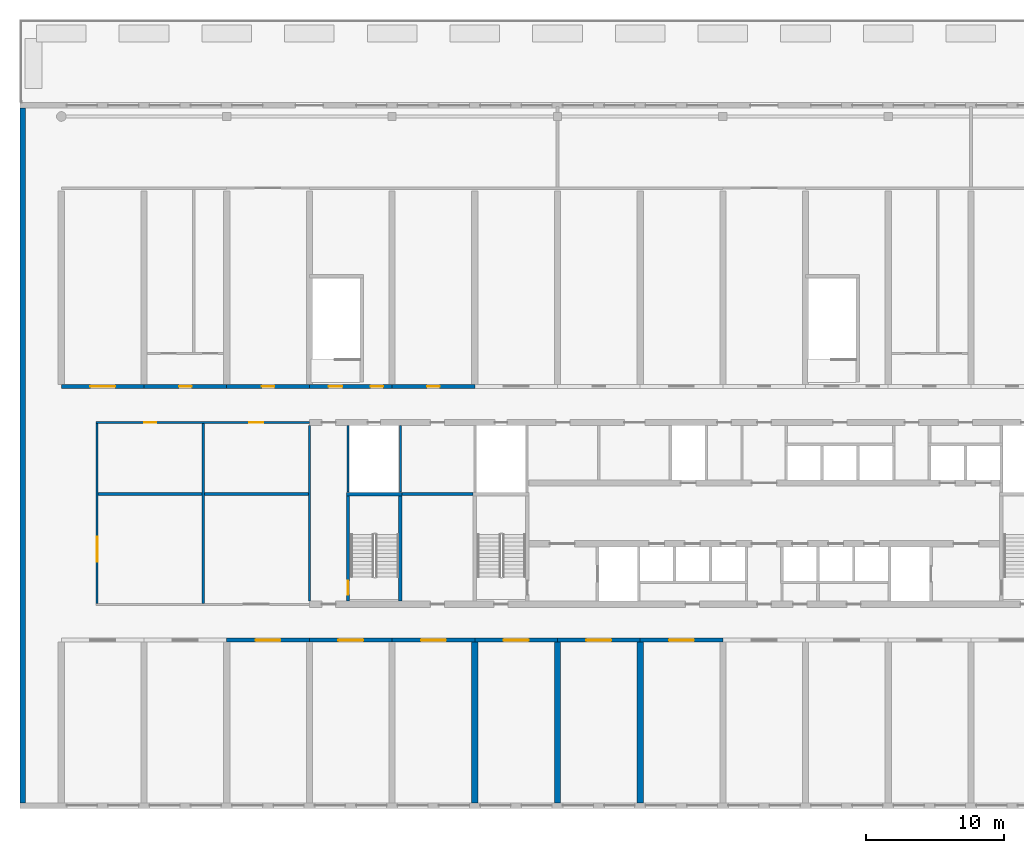
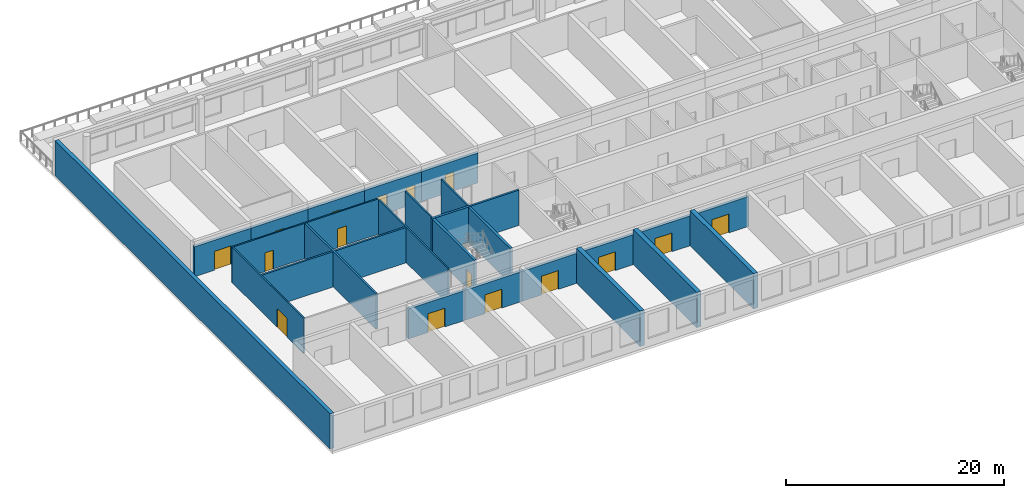
# One storey, part 2 of 15: 26 walls, 16 doors, 16 openings.
"""IFC4 building model written with IfcOpenShell, lengths in metres."""

from ifc_helpers import new_model, si_unit, direction, frame, frame_2d, origin, place, context, subcontext, project, spatial, rectangle, extrude, material, layer, layer_set, type_object, element, fill, save


model = new_model("IFC4")

# Units and contexts
model_context = context("Model", 3, precision=1e-05, world=origin(), true_north=direction((0.0, 1.0)))
body_context = subcontext(model_context, "Body", "Model", "MODEL_VIEW")
ifc_project = project(units=[si_unit("LENGTHUNIT", "METRE"), si_unit("AREAUNIT", "SQUARE_METRE"), si_unit("VOLUMEUNIT", "CUBIC_METRE"), si_unit("PLANEANGLEUNIT", "RADIAN"), si_unit("MASSUNIT", "GRAM", prefix="KILO")], contexts=[model_context])

# Site, building, storey
site_placement = place(None, origin())
site = spatial("IfcSite", under=ifc_project, at=site_placement, CompositionType="ELEMENT")
building_placement = place(site_placement, origin())
building = spatial("IfcBuilding", under=site, at=building_placement, Name="Poui Terraces", CompositionType="ELEMENT")
storey_placement = place(building_placement, frame((0.0, 0.0, 19.199951171875)))
storey = spatial("IfcBuildingStorey", under=building, at=storey_placement, Name="L04", CompositionType="ELEMENT", Elevation=19.199951171875)

# Walls
ifc_material_1 = material(Name="Fire-rated masonry wall", Category="masonry")
ifc_layer_1 = layer(ifc_material_1, 0.199951171875)
ifc_layer_set_1 = layer_set([ifc_layer_1], Name="Fire-rated masonry wall")
wall_type_1 = type_object("IfcWallType", Name="COMPARTMENT WALL 200", PredefinedType="PARTITIONING", material=ifc_layer_set_1)
wall_1_placement = place(storey_placement, frame((2.675048828125, 22.60009765625, 0.0), z_axis=(0.0, 0.0, 1.0), x_axis=(1.0, 0.0, 0.0)))
element("IfcWall", 1, at=wall_1_placement, inside=storey, type_object=wall_type_1, Name="COMPARTMENT WALL 200", PredefinedType="PARTITIONING", context=body_context, shape_type="SweptSolid", body=[
    extrude(rectangle(XDim=15.25, YDim=0.199951171875, at=frame_2d((7.625, 0.0))), origin(), (0.0, 0.0, 1.0), 3.949951171875),
])
wall_2_placement = place(storey_placement, frame((24.735107421875, 22.60009765625, 0.0), z_axis=(0.0, 0.0, 1.0), x_axis=(1.0, 0.0, 0.0)))
element("IfcWall", 2, at=wall_2_placement, inside=storey, type_object=wall_type_1, Name="COMPARTMENT WALL 200", PredefinedType="PARTITIONING", context=body_context, shape_type="SweptSolid", body=[
    extrude(rectangle(XDim=5.1298828125, YDim=0.199951171875, at=frame_2d((2.56494140625, 0.0))), origin(), (0.0, 0.0, 1.0), 3.949951171875),
])
wall_3_placement = place(storey_placement, frame((10.300048828125, 14.675048828125, 0.0), z_axis=(0.0, 0.0, 1.0), x_axis=(0.0, 1.0, 0.0)))
element("IfcWall", 3, at=wall_3_placement, inside=storey, type_object=wall_type_1, Name="COMPARTMENT WALL 200", PredefinedType="PARTITIONING", context=body_context, shape_type="SweptSolid", body=[
    extrude(rectangle(XDim=13.050048828125, YDim=0.199951171875, at=frame_2d((6.52490234375, 0.0))), origin(), (0.0, 0.0, 1.0), 3.949951171875),
])

# Wall, openings, doors
ifc_material_2 = material(Name="Fire-rated plasterboard wall")
ifc_layer_2 = layer(ifc_material_2, 0.14990234375)
ifc_layer_set_2 = layer_set([ifc_layer_2], Name="Fire-rated plasterboard wall")
wall_type_2 = type_object("IfcWallType", Name="CORRIDOR WALL 150", PredefinedType="PARTITIONING", material=ifc_layer_set_2)
wall_4_placement = place(storey_placement, frame((2.52490234375, 27.800048828125, 0.0), z_axis=(0.0, 0.0, 1.0), x_axis=(1.0, 0.0, 0.0)))
wall_4 = element("IfcWall", 4, at=wall_4_placement, inside=storey, type_object=wall_type_2, Name="CORRIDOR WALL 150", PredefinedType="PARTITIONING", context=body_context, shape_type="SweptSolid", body=[
    extrude(rectangle(XDim=15.465087890625, YDim=0.14990234375, at=frame_2d((7.732421875, 0.0))), origin(), (0.0, 0.0, 1.0), 3.949951171875),
])
opening_1_placement = place(wall_4_placement, frame((3.47509765625, 0.0, 0.0)))
opening_1 = element("IfcOpeningElement", 5, at=opening_1_placement, cuts=wall_4, Name="Opening D90", PredefinedType="OPENING", context=body_context, shape_type="SweptSolid", body=[
    extrude(rectangle(XDim=0.89990234375, YDim=2.10009765625, at=frame_2d((0.449951171875, 1.050048828125))), frame((0.0, 0.0849609375, 0.0), z_axis=(0.0, -1.0, 0.0), x_axis=(1.0, 0.0, 0.0)), (0.0, 0.0, 1.0), 0.169921875),
])
opening_2_placement = place(wall_4_placement, frame((11.125, 0.0, 0.0)))
opening_2 = element("IfcOpeningElement", 6, at=opening_2_placement, cuts=wall_4, Name="Opening D100", PredefinedType="OPENING", context=body_context, shape_type="SweptSolid", body=[
    extrude(rectangle(XDim=1.0, YDim=2.10009765625, at=frame_2d((0.5, 1.050048828125))), frame((0.0, 0.0849609375, 0.0), z_axis=(0.0, -1.0, 0.0), x_axis=(1.0, 0.0, 0.0)), (0.0, 0.0, 1.0), 0.169921875),
])
ifc_material_3 = material(Name="Solid core timber door", Category="wood")
door_type_1 = type_object("IfcDoorType", Name="ACCESSIBLE INTERNAL DOOR 1000 X 2100", OperationType="NOTDEFINED", PredefinedType="DOOR", material=ifc_material_3)
door_1_placement = place(opening_2_placement, origin())
door_1 = element("IfcDoor", 7, at=door_1_placement, inside=storey, type_object=door_type_1, Name="ACCESSIBLE INTERNAL DOOR 005", OperationType="SINGLE_SWING_RIGHT", OverallHeight=2.10009765625, OverallWidth=1.0, PredefinedType="DOOR", context=body_context, shape_type="SweptSolid", body=[
    extrude(rectangle(XDim=1.0, YDim=2.10009765625, at=frame_2d((0.5, 1.050048828125))), frame((0.0, 0.02490234375, 0.0), z_axis=(0.0, -1.0, 0.0), x_axis=(1.0, 0.0, 0.0)), (0.0, 0.0, 1.0), 0.050048828125),
])
fill(opening_2, door_1)
door_type_2 = type_object("IfcDoorType", Name="INTERNAL DOOR 900 X 2100", OperationType="NOTDEFINED", PredefinedType="DOOR", material=ifc_material_3)
door_2_placement = place(opening_1_placement, origin())
door_2 = element("IfcDoor", 8, at=door_2_placement, inside=storey, type_object=door_type_2, Name="INTERNAL DOOR 003", OperationType="SINGLE_SWING_LEFT", OverallHeight=2.10009765625, OverallWidth=0.89990234375, PredefinedType="DOOR", context=body_context, shape_type="SweptSolid", body=[
    extrude(rectangle(XDim=0.89990234375, YDim=2.10009765625, at=frame_2d((0.449951171875, 1.050048828125))), frame((0.0, 0.02490234375, 0.0), z_axis=(0.0, -1.0, 0.0), x_axis=(1.0, 0.0, 0.0)), (0.0, 0.0, 1.0), 0.050048828125),
])
fill(opening_1, door_2)

# Wall, opening, door
wall_5_placement = place(storey_placement, frame((2.60009765625, 14.675048828125, 0.0), z_axis=(0.0, 0.0, 1.0), x_axis=(0.0, 1.0, 0.0)))
wall_5 = element("IfcWall", 9, at=wall_5_placement, inside=storey, type_object=wall_type_2, Name="CORRIDOR WALL 150", PredefinedType="PARTITIONING", context=body_context, shape_type="SweptSolid", body=[
    extrude(rectangle(XDim=13.050048828125, YDim=0.14990234375, at=frame_2d((6.52490234375, 0.0))), origin(), (0.0, 0.0, 1.0), 3.949951171875),
])
opening_3_placement = place(wall_5_placement, frame((3.02490234375, 0.0, 0.0)))
opening_3 = element("IfcOpeningElement", 10, at=opening_3_placement, cuts=wall_5, Name="Opening DD180", PredefinedType="OPENING", context=body_context, shape_type="SweptSolid", body=[
    extrude(rectangle(XDim=1.800048828125, YDim=2.10009765625, at=frame_2d((0.89990234375, 1.050048828125))), frame((0.0, 0.0849609375, 0.0), z_axis=(0.0, -1.0, 0.0), x_axis=(1.0, 0.0, 0.0)), (0.0, 0.0, 1.0), 0.169921875),
])
ifc_material_4 = material(Name="Steel fire door", Category="steel")
door_type_3 = type_object("IfcDoorType", Name="DOUBLE INTERNAL DOOR 1800 X 2100", OperationType="DOUBLE_DOOR_SINGLE_SWING", PredefinedType="DOOR", material=ifc_material_4)
door_3_placement = place(opening_3_placement, origin())
door_3 = element("IfcDoor", 11, at=door_3_placement, inside=storey, type_object=door_type_3, Name="DOUBLE INTERNAL DOOR 070", OperationType="DOUBLE_DOOR_SINGLE_SWING", OverallHeight=2.10009765625, OverallWidth=1.800048828125, PredefinedType="DOOR", context=body_context, shape_type="SweptSolid", body=[
    extrude(rectangle(XDim=1.800048828125, YDim=2.10009765625, at=frame_2d((0.89990234375, 1.050048828125))), frame((0.0, 0.02490234375, 0.0), z_axis=(0.0, -1.0, 0.0), x_axis=(1.0, 0.0, 0.0)), (0.0, 0.0, 1.0), 0.050048828125),
])
fill(opening_3, door_3)

# Wall
wall_6_placement = place(storey_placement, frame((18.0, 14.8349609375, 0.0), z_axis=(0.0, 0.0, 1.0), x_axis=(0.0, 1.0, 0.0)))
element("IfcWall", 12, at=wall_6_placement, inside=storey, type_object=wall_type_2, Name="CORRIDOR WALL 150", PredefinedType="PARTITIONING", context=body_context, shape_type="SweptSolid", body=[
    extrude(rectangle(XDim=12.72998046875, YDim=0.14990234375, at=frame_2d((6.364990234375, 0.0))), origin(), (0.0, 0.0, 1.0), 3.949951171875),
])

# Wall, opening, door
ifc_material_5 = material(Name="Concrete 80 MPa", Category="concrete")
ifc_layer_3 = layer(ifc_material_5, 0.300048828125)
ifc_layer_set_3 = layer_set([ifc_layer_3], Name="Concrete 80 MPa")
wall_type_3 = type_object("IfcWallType", Name="CORRIDOR WALL 300 80MPa", PredefinedType="SHEAR", material=ifc_layer_set_3)
wall_7_placement = place(storey_placement, frame((12.0, 12.0, 0.0), z_axis=(0.0, 0.0, 1.0), x_axis=(1.0, 0.0, 0.0)))
wall_7 = element("IfcWall", 13, at=wall_7_placement, inside=storey, type_object=wall_type_3, Name="CORRIDOR WALL LINE B BAY 3", PredefinedType="SHEAR", context=body_context, shape_type="SweptSolid", body=[
    extrude(rectangle(XDim=6.0, YDim=0.300048828125, at=frame_2d((3.0, 0.0))), origin(), (0.0, 0.0, 1.0), 3.35009765625),
])
opening_4_placement = place(wall_7_placement, frame((2.10009765625, 0.0, 0.0)))
opening_4 = element("IfcOpeningElement", 14, at=opening_4_placement, cuts=wall_7, Name="Opening DD180", PredefinedType="OPENING", context=body_context, shape_type="SweptSolid", body=[
    extrude(rectangle(XDim=1.800048828125, YDim=2.10009765625, at=frame_2d((0.89990234375, 1.050048828125))), frame((0.0, 0.16015625, 0.0), z_axis=(0.0, -1.0, 0.0), x_axis=(1.0, 0.0, 0.0)), (0.0, 0.0, 1.0), 0.320068359375),
])
door_4_placement = place(opening_4_placement, origin())
door_4 = element("IfcDoor", 15, at=door_4_placement, inside=storey, type_object=door_type_3, Name="DOUBLE INTERNAL DOOR 044", OperationType="DOUBLE_DOOR_SINGLE_SWING", OverallHeight=2.10009765625, OverallWidth=1.800048828125, PredefinedType="DOOR", context=body_context, shape_type="SweptSolid", body=[
    extrude(rectangle(XDim=1.800048828125, YDim=2.10009765625, at=frame_2d((0.89990234375, 1.050048828125))), frame((0.0, 0.02490234375, 0.0), z_axis=(0.0, -1.0, 0.0), x_axis=(1.0, 0.0, 0.0)), (0.0, 0.0, 1.0), 0.050048828125),
])
fill(opening_4, door_4)

wall_8_placement = place(storey_placement, frame((18.0, 12.0, 0.0), z_axis=(0.0, 0.0, 1.0), x_axis=(1.0, 0.0, 0.0)))
wall_8 = element("IfcWall", 16, at=wall_8_placement, inside=storey, type_object=wall_type_3, Name="CORRIDOR WALL LINE B BAY 4", PredefinedType="SHEAR", context=body_context, shape_type="SweptSolid", body=[
    extrude(rectangle(XDim=6.0, YDim=0.300048828125, at=frame_2d((3.0, 0.0))), origin(), (0.0, 0.0, 1.0), 3.35009765625),
])
opening_5_placement = place(wall_8_placement, frame((2.10009765625, 0.0, 0.0)))
opening_5 = element("IfcOpeningElement", 17, at=opening_5_placement, cuts=wall_8, Name="Opening DD180", PredefinedType="OPENING", context=body_context, shape_type="SweptSolid", body=[
    extrude(rectangle(XDim=1.800048828125, YDim=2.10009765625, at=frame_2d((0.89990234375, 1.050048828125))), frame((0.0, 0.16015625, 0.0), z_axis=(0.0, -1.0, 0.0), x_axis=(1.0, 0.0, 0.0)), (0.0, 0.0, 1.0), 0.320068359375),
])
door_5_placement = place(opening_5_placement, origin())
door_5 = element("IfcDoor", 18, at=door_5_placement, inside=storey, type_object=door_type_3, Name="DOUBLE INTERNAL DOOR 046", OperationType="DOUBLE_DOOR_SINGLE_SWING", OverallHeight=2.10009765625, OverallWidth=1.800048828125, PredefinedType="DOOR", context=body_context, shape_type="SweptSolid", body=[
    extrude(rectangle(XDim=1.800048828125, YDim=2.10009765625, at=frame_2d((0.89990234375, 1.050048828125))), frame((0.0, 0.02490234375, 0.0), z_axis=(0.0, -1.0, 0.0), x_axis=(1.0, 0.0, 0.0)), (0.0, 0.0, 1.0), 0.050048828125),
])
fill(opening_5, door_5)

wall_9_placement = place(storey_placement, frame((24.0, 12.0, 0.0), z_axis=(0.0, 0.0, 1.0), x_axis=(1.0, 0.0, 0.0)))
wall_9 = element("IfcWall", 19, at=wall_9_placement, inside=storey, type_object=wall_type_3, Name="CORRIDOR WALL LINE B BAY 5", PredefinedType="SHEAR", context=body_context, shape_type="SweptSolid", body=[
    extrude(rectangle(XDim=6.0, YDim=0.300048828125, at=frame_2d((3.0, 0.0))), origin(), (0.0, 0.0, 1.0), 3.35009765625),
])
opening_6_placement = place(wall_9_placement, frame((2.10009765625, 0.0, 0.0)))
opening_6 = element("IfcOpeningElement", 20, at=opening_6_placement, cuts=wall_9, Name="Opening DD180", PredefinedType="OPENING", context=body_context, shape_type="SweptSolid", body=[
    extrude(rectangle(XDim=1.800048828125, YDim=2.10009765625, at=frame_2d((0.89990234375, 1.050048828125))), frame((0.0, 0.16015625, 0.0), z_axis=(0.0, -1.0, 0.0), x_axis=(1.0, 0.0, 0.0)), (0.0, 0.0, 1.0), 0.320068359375),
])
door_6_placement = place(opening_6_placement, origin())
door_6 = element("IfcDoor", 21, at=door_6_placement, inside=storey, type_object=door_type_3, Name="DOUBLE INTERNAL DOOR 047", OperationType="DOUBLE_DOOR_SINGLE_SWING", OverallHeight=2.10009765625, OverallWidth=1.800048828125, PredefinedType="DOOR", context=body_context, shape_type="SweptSolid", body=[
    extrude(rectangle(XDim=1.800048828125, YDim=2.10009765625, at=frame_2d((0.89990234375, 1.050048828125))), frame((0.0, 0.02490234375, 0.0), z_axis=(0.0, -1.0, 0.0), x_axis=(1.0, 0.0, 0.0)), (0.0, 0.0, 1.0), 0.050048828125),
])
fill(opening_6, door_6)

wall_10_placement = place(storey_placement, frame((30.0, 12.0, 0.0), z_axis=(0.0, 0.0, 1.0), x_axis=(1.0, 0.0, 0.0)))
wall_10 = element("IfcWall", 22, at=wall_10_placement, inside=storey, type_object=wall_type_3, Name="CORRIDOR WALL LINE B BAY 6", PredefinedType="SHEAR", context=body_context, shape_type="SweptSolid", body=[
    extrude(rectangle(XDim=6.0, YDim=0.300048828125, at=frame_2d((3.0, 0.0))), origin(), (0.0, 0.0, 1.0), 3.35009765625),
])
opening_7_placement = place(wall_10_placement, frame((2.10009765625, 0.0, 0.0)))
opening_7 = element("IfcOpeningElement", 23, at=opening_7_placement, cuts=wall_10, Name="Opening DD180", PredefinedType="OPENING", context=body_context, shape_type="SweptSolid", body=[
    extrude(rectangle(XDim=1.800048828125, YDim=2.10009765625, at=frame_2d((0.89990234375, 1.050048828125))), frame((0.0, 0.16015625, 0.0), z_axis=(0.0, -1.0, 0.0), x_axis=(1.0, 0.0, 0.0)), (0.0, 0.0, 1.0), 0.320068359375),
])
door_7_placement = place(opening_7_placement, origin())
door_7 = element("IfcDoor", 24, at=door_7_placement, inside=storey, type_object=door_type_3, Name="DOUBLE INTERNAL DOOR 050", OperationType="DOUBLE_DOOR_SINGLE_SWING", OverallHeight=2.10009765625, OverallWidth=1.800048828125, PredefinedType="DOOR", context=body_context, shape_type="SweptSolid", body=[
    extrude(rectangle(XDim=1.800048828125, YDim=2.10009765625, at=frame_2d((0.89990234375, 1.050048828125))), frame((0.0, 0.02490234375, 0.0), z_axis=(0.0, -1.0, 0.0), x_axis=(1.0, 0.0, 0.0)), (0.0, 0.0, 1.0), 0.050048828125),
])
fill(opening_7, door_7)

wall_11_placement = place(storey_placement, frame((36.0, 12.0, 0.0), z_axis=(0.0, 0.0, 1.0), x_axis=(1.0, 0.0, 0.0)))
wall_11 = element("IfcWall", 25, at=wall_11_placement, inside=storey, type_object=wall_type_3, Name="CORRIDOR WALL LINE B BAY 7", PredefinedType="SHEAR", context=body_context, shape_type="SweptSolid", body=[
    extrude(rectangle(XDim=6.0, YDim=0.300048828125, at=frame_2d((3.0, 0.0))), origin(), (0.0, 0.0, 1.0), 3.35009765625),
])
opening_8_placement = place(wall_11_placement, frame((2.10009765625, 0.0, 0.0)))
opening_8 = element("IfcOpeningElement", 26, at=opening_8_placement, cuts=wall_11, Name="Opening DD180", PredefinedType="OPENING", context=body_context, shape_type="SweptSolid", body=[
    extrude(rectangle(XDim=1.800048828125, YDim=2.10009765625, at=frame_2d((0.89990234375, 1.050048828125))), frame((0.0, 0.16015625, 0.0), z_axis=(0.0, -1.0, 0.0), x_axis=(1.0, 0.0, 0.0)), (0.0, 0.0, 1.0), 0.320068359375),
])
door_8_placement = place(opening_8_placement, origin())
door_8 = element("IfcDoor", 27, at=door_8_placement, inside=storey, type_object=door_type_3, Name="DOUBLE INTERNAL DOOR 051", OperationType="DOUBLE_DOOR_SINGLE_SWING", OverallHeight=2.10009765625, OverallWidth=1.800048828125, PredefinedType="DOOR", context=body_context, shape_type="SweptSolid", body=[
    extrude(rectangle(XDim=1.800048828125, YDim=2.10009765625, at=frame_2d((0.89990234375, 1.050048828125))), frame((0.0, 0.02490234375, 0.0), z_axis=(0.0, -1.0, 0.0), x_axis=(1.0, 0.0, 0.0)), (0.0, 0.0, 1.0), 0.050048828125),
])
fill(opening_8, door_8)

wall_12_placement = place(storey_placement, frame((42.0, 12.0, 0.0), z_axis=(0.0, 0.0, 1.0), x_axis=(1.0, 0.0, 0.0)))
wall_12 = element("IfcWall", 28, at=wall_12_placement, inside=storey, type_object=wall_type_3, Name="CORRIDOR WALL LINE B BAY 8", PredefinedType="SHEAR", context=body_context, shape_type="SweptSolid", body=[
    extrude(rectangle(XDim=6.0, YDim=0.300048828125, at=frame_2d((3.0, 0.0))), origin(), (0.0, 0.0, 1.0), 3.35009765625),
])
opening_9_placement = place(wall_12_placement, frame((2.10009765625, 0.0, 0.0)))
opening_9 = element("IfcOpeningElement", 29, at=opening_9_placement, cuts=wall_12, Name="Opening DD180", PredefinedType="OPENING", context=body_context, shape_type="SweptSolid", body=[
    extrude(rectangle(XDim=1.800048828125, YDim=2.10009765625, at=frame_2d((0.89990234375, 1.050048828125))), frame((0.0, 0.16015625, 0.0), z_axis=(0.0, -1.0, 0.0), x_axis=(1.0, 0.0, 0.0)), (0.0, 0.0, 1.0), 0.320068359375),
])
door_9_placement = place(opening_9_placement, origin())
door_9 = element("IfcDoor", 30, at=door_9_placement, inside=storey, type_object=door_type_3, Name="DOUBLE INTERNAL DOOR 052", OperationType="DOUBLE_DOOR_SINGLE_SWING", OverallHeight=2.10009765625, OverallWidth=1.800048828125, PredefinedType="DOOR", context=body_context, shape_type="SweptSolid", body=[
    extrude(rectangle(XDim=1.800048828125, YDim=2.10009765625, at=frame_2d((0.89990234375, 1.050048828125))), frame((0.0, 0.02490234375, 0.0), z_axis=(0.0, -1.0, 0.0), x_axis=(1.0, 0.0, 0.0)), (0.0, 0.0, 1.0), 0.050048828125),
])
fill(opening_9, door_9)

wall_13_placement = place(storey_placement, frame((0.0, 30.39990234375, 0.0), z_axis=(0.0, 0.0, 1.0), x_axis=(1.0, 0.0, 0.0)))
wall_13 = element("IfcWall", 31, at=wall_13_placement, inside=storey, type_object=wall_type_3, Name="CORRIDOR WALL LINE E BAY 1", PredefinedType="SHEAR", context=body_context, shape_type="SweptSolid", body=[
    extrude(rectangle(XDim=6.0, YDim=0.300048828125, at=frame_2d((3.0, 0.0))), origin(), (0.0, 0.0, 1.0), 3.35009765625),
])
opening_10_placement = place(wall_13_placement, frame((2.10009765625, 0.0, 0.0)))
opening_10 = element("IfcOpeningElement", 32, at=opening_10_placement, cuts=wall_13, Name="Opening DD180", PredefinedType="OPENING", context=body_context, shape_type="SweptSolid", body=[
    extrude(rectangle(XDim=1.800048828125, YDim=2.10009765625, at=frame_2d((0.89990234375, 1.050048828125))), frame((0.0, 0.16015625, 0.0), z_axis=(0.0, -1.0, 0.0), x_axis=(1.0, 0.0, 0.0)), (0.0, 0.0, 1.0), 0.320068359375),
])
door_10_placement = place(opening_10_placement, frame((1.800048828125, 0.0, 0.0), z_axis=(0.0, 0.0, 1.0), x_axis=(-1.0, 0.0, 0.0)))
door_10 = element("IfcDoor", 33, at=door_10_placement, inside=storey, type_object=door_type_3, Name="DOUBLE INTERNAL DOOR 002", OperationType="DOUBLE_DOOR_SINGLE_SWING", OverallHeight=2.10009765625, OverallWidth=1.800048828125, PredefinedType="DOOR", context=body_context, shape_type="SweptSolid", body=[
    extrude(rectangle(XDim=1.800048828125, YDim=2.10009765625, at=frame_2d((0.89990234375, 1.050048828125))), frame((0.0, 0.02490234375, 0.0), z_axis=(0.0, -1.0, 0.0), x_axis=(1.0, 0.0, 0.0)), (0.0, 0.0, 1.0), 0.050048828125),
])
fill(opening_10, door_10)

wall_14_placement = place(storey_placement, frame((6.0, 30.39990234375, 0.0), z_axis=(0.0, 0.0, 1.0), x_axis=(1.0, 0.0, 0.0)))
wall_14 = element("IfcWall", 34, at=wall_14_placement, inside=storey, type_object=wall_type_3, Name="CORRIDOR WALL LINE E BAY 2", PredefinedType="SHEAR", context=body_context, shape_type="SweptSolid", body=[
    extrude(rectangle(XDim=6.0, YDim=0.300048828125, at=frame_2d((3.0, 0.0))), origin(), (0.0, 0.0, 1.0), 3.35009765625),
])
opening_11_placement = place(wall_14_placement, frame((2.550048828125, 0.0, 0.0)))
opening_11 = element("IfcOpeningElement", 35, at=opening_11_placement, cuts=wall_14, Name="Opening D90", PredefinedType="OPENING", context=body_context, shape_type="SweptSolid", body=[
    extrude(rectangle(XDim=0.89990234375, YDim=2.10009765625, at=frame_2d((0.449951171875, 1.050048828125))), frame((0.0, 0.16015625, 0.0), z_axis=(0.0, -1.0, 0.0), x_axis=(1.0, 0.0, 0.0)), (0.0, 0.0, 1.0), 0.320068359375),
])
door_11_placement = place(opening_11_placement, frame((0.89990234375, 0.0, 0.0), z_axis=(0.0, 0.0, 1.0), x_axis=(-1.0, 0.0, 0.0)))
door_11 = element("IfcDoor", 36, at=door_11_placement, inside=storey, type_object=door_type_2, Name="INTERNAL DOOR 004", OperationType="SINGLE_SWING_LEFT", OverallHeight=2.10009765625, OverallWidth=0.89990234375, PredefinedType="DOOR", context=body_context, shape_type="SweptSolid", body=[
    extrude(rectangle(XDim=0.89990234375, YDim=2.10009765625, at=frame_2d((0.449951171875, 1.050048828125))), frame((0.0, 0.02490234375, 0.0), z_axis=(0.0, -1.0, 0.0), x_axis=(1.0, 0.0, 0.0)), (0.0, 0.0, 1.0), 0.050048828125),
])
fill(opening_11, door_11)

wall_15_placement = place(storey_placement, frame((12.0, 30.39990234375, 0.0), z_axis=(0.0, 0.0, 1.0), x_axis=(1.0, 0.0, 0.0)))
wall_15 = element("IfcWall", 37, at=wall_15_placement, inside=storey, type_object=wall_type_3, Name="CORRIDOR WALL LINE E BAY 3", PredefinedType="SHEAR", context=body_context, shape_type="SweptSolid", body=[
    extrude(rectangle(XDim=6.0, YDim=0.300048828125, at=frame_2d((3.0, 0.0))), origin(), (0.0, 0.0, 1.0), 3.35009765625),
])
opening_12_placement = place(wall_15_placement, frame((2.550048828125, 0.0, 0.0)))
opening_12 = element("IfcOpeningElement", 38, at=opening_12_placement, cuts=wall_15, Name="Opening D90", PredefinedType="OPENING", context=body_context, shape_type="SweptSolid", body=[
    extrude(rectangle(XDim=0.89990234375, YDim=2.10009765625, at=frame_2d((0.449951171875, 1.050048828125))), frame((0.0, 0.16015625, 0.0), z_axis=(0.0, -1.0, 0.0), x_axis=(1.0, 0.0, 0.0)), (0.0, 0.0, 1.0), 0.320068359375),
])
door_12_placement = place(opening_12_placement, frame((0.89990234375, 0.0, 0.0), z_axis=(0.0, 0.0, 1.0), x_axis=(-1.0, 0.0, 0.0)))
door_12 = element("IfcDoor", 39, at=door_12_placement, inside=storey, type_object=door_type_2, Name="INTERNAL DOOR 006", OperationType="SINGLE_SWING_RIGHT", OverallHeight=2.10009765625, OverallWidth=0.89990234375, PredefinedType="DOOR", context=body_context, shape_type="SweptSolid", body=[
    extrude(rectangle(XDim=0.89990234375, YDim=2.10009765625, at=frame_2d((0.449951171875, 1.050048828125))), frame((0.0, 0.02490234375, 0.0), z_axis=(0.0, -1.0, 0.0), x_axis=(1.0, 0.0, 0.0)), (0.0, 0.0, 1.0), 0.050048828125),
])
fill(opening_12, door_12)

# Wall, openings, doors
wall_16_placement = place(storey_placement, frame((18.0, 30.39990234375, 0.0), z_axis=(0.0, 0.0, 1.0), x_axis=(1.0, 0.0, 0.0)))
wall_16 = element("IfcWall", 40, at=wall_16_placement, inside=storey, type_object=wall_type_3, Name="CORRIDOR WALL LINE E BAY 4", PredefinedType="SHEAR", context=body_context, shape_type="SweptSolid", body=[
    extrude(rectangle(XDim=6.0, YDim=0.300048828125, at=frame_2d((3.0, 0.0))), origin(), (0.0, 0.0, 1.0), 3.35009765625),
])
opening_13_placement = place(wall_16_placement, frame((1.39990234375, 0.0, 0.0)))
opening_13 = element("IfcOpeningElement", 41, at=opening_13_placement, cuts=wall_16, Name="Opening FD60S", PredefinedType="OPENING", context=body_context, shape_type="SweptSolid", body=[
    extrude(rectangle(XDim=1.0, YDim=2.10009765625, at=frame_2d((0.5, 1.050048828125))), frame((0.0, 0.16015625, 0.0), z_axis=(0.0, -1.0, 0.0), x_axis=(1.0, 0.0, 0.0)), (0.0, 0.0, 1.0), 0.320068359375),
])
opening_14_placement = place(wall_16_placement, frame((4.449951171875, 0.0, 0.0)))
opening_14 = element("IfcOpeningElement", 42, at=opening_14_placement, cuts=wall_16, Name="Opening D90", PredefinedType="OPENING", context=body_context, shape_type="SweptSolid", body=[
    extrude(rectangle(XDim=0.89990234375, YDim=2.10009765625, at=frame_2d((0.449951171875, 1.050048828125))), frame((0.0, 0.16015625, 0.0), z_axis=(0.0, -1.0, 0.0), x_axis=(1.0, 0.0, 0.0)), (0.0, 0.0, 1.0), 0.320068359375),
])
door_13_placement = place(opening_14_placement, frame((0.89990234375, 0.0, 0.0), z_axis=(0.0, 0.0, 1.0), x_axis=(-1.0, 0.0, 0.0)))
door_13 = element("IfcDoor", 43, at=door_13_placement, inside=storey, type_object=door_type_2, Name="INTERNAL DOOR 010", OperationType="SINGLE_SWING_RIGHT", OverallHeight=2.10009765625, OverallWidth=0.89990234375, PredefinedType="DOOR", context=body_context, shape_type="SweptSolid", body=[
    extrude(rectangle(XDim=0.89990234375, YDim=2.10009765625, at=frame_2d((0.449951171875, 1.050048828125))), frame((0.0, 0.02490234375, 0.0), z_axis=(0.0, -1.0, 0.0), x_axis=(1.0, 0.0, 0.0)), (0.0, 0.0, 1.0), 0.050048828125),
])
fill(opening_14, door_13)
door_type_4 = type_object("IfcDoorType", Name="STAIR DOOR 1000 X 2100", OperationType="NOTDEFINED", PredefinedType="DOOR", material=ifc_material_4)
door_14_placement = place(opening_13_placement, origin())
door_14 = element("IfcDoor", 44, at=door_14_placement, inside=storey, type_object=door_type_4, Name="STAIR DOOR 008", OperationType="SINGLE_SWING_RIGHT", OverallHeight=2.10009765625, OverallWidth=1.0, PredefinedType="DOOR", context=body_context, shape_type="SweptSolid", body=[
    extrude(rectangle(XDim=1.0, YDim=2.10009765625, at=frame_2d((0.5, 1.050048828125))), frame((0.0, 0.02490234375, 0.0), z_axis=(0.0, -1.0, 0.0), x_axis=(1.0, 0.0, 0.0)), (0.0, 0.0, 1.0), 0.050048828125),
])
fill(opening_13, door_14)

# Wall, opening, door
wall_17_placement = place(storey_placement, frame((24.0, 30.39990234375, 0.0), z_axis=(0.0, 0.0, 1.0), x_axis=(1.0, 0.0, 0.0)))
wall_17 = element("IfcWall", 45, at=wall_17_placement, inside=storey, type_object=wall_type_3, Name="CORRIDOR WALL LINE E BAY 5", PredefinedType="SHEAR", context=body_context, shape_type="SweptSolid", body=[
    extrude(rectangle(XDim=6.0, YDim=0.300048828125, at=frame_2d((3.0, 0.0))), origin(), (0.0, 0.0, 1.0), 3.35009765625),
])
opening_15_placement = place(wall_17_placement, frame((2.550048828125, 0.0, 0.0)))
opening_15 = element("IfcOpeningElement", 46, at=opening_15_placement, cuts=wall_17, Name="Opening D90", PredefinedType="OPENING", context=body_context, shape_type="SweptSolid", body=[
    extrude(rectangle(XDim=0.89990234375, YDim=2.10009765625, at=frame_2d((0.449951171875, 1.050048828125))), frame((0.0, 0.16015625, 0.0), z_axis=(0.0, -1.0, 0.0), x_axis=(1.0, 0.0, 0.0)), (0.0, 0.0, 1.0), 0.320068359375),
])
door_15_placement = place(opening_15_placement, frame((0.89990234375, 0.0, 0.0), z_axis=(0.0, 0.0, 1.0), x_axis=(-1.0, 0.0, 0.0)))
door_15 = element("IfcDoor", 47, at=door_15_placement, inside=storey, type_object=door_type_2, Name="INTERNAL DOOR 011", OperationType="SINGLE_SWING_LEFT", OverallHeight=2.10009765625, OverallWidth=0.89990234375, PredefinedType="DOOR", context=body_context, shape_type="SweptSolid", body=[
    extrude(rectangle(XDim=0.89990234375, YDim=2.10009765625, at=frame_2d((0.449951171875, 1.050048828125))), frame((0.0, 0.02490234375, 0.0), z_axis=(0.0, -1.0, 0.0), x_axis=(1.0, 0.0, 0.0)), (0.0, 0.0, 1.0), 0.050048828125),
])
fill(opening_15, door_15)

# Walls
ifc_layer_4 = layer(ifc_material_5, 0.449951171875)
ifc_layer_set_4 = layer_set([ifc_layer_4], Name="Concrete 80 MPa")
wall_type_4 = type_object("IfcWallType", Name="CROSS WALL 450 80MPa", PredefinedType="SHEAR", material=ifc_layer_set_4)
for number, where, z_axis, x_axis, name in (
    (48, (30.0, 0.199951171875, 0.0), (0.0, 0.0, 1.0), (0.0, 1.0, 0.0), "CROSS WALL LINE 6 SOUTH"),
    (49, (36.0, 0.199951171875, 0.0), (0.0, 0.0, 1.0), (0.0, 1.0, 0.0), "CROSS WALL LINE 7 SOUTH"),
    (50, (42.0, 0.199951171875, 0.0), (0.0, 0.0, 1.0), (0.0, 1.0, 0.0), "CROSS WALL LINE 8 SOUTH"),
):
    element("IfcWall", number, at=place(storey_placement, frame(where, z_axis=z_axis, x_axis=x_axis)), inside=storey, type_object=wall_type_4, Name=name, PredefinedType="SHEAR", context=body_context, shape_type="SweptSolid", body=[
        extrude(rectangle(XDim=11.650146484375, YDim=0.449951171875, at=frame_2d((5.8251953125, 0.0))), origin(), (0.0, 0.0, 1.0), 3.949951171875),
    ])
ifc_material_6 = material(Name="Precast concrete 40 MPa", Category="concrete")
ifc_layer_5 = layer(ifc_material_6, 0.39990234375)
ifc_layer_set_5 = layer_set([ifc_layer_5], Name="Precast concrete 40 MPa")
wall_type_5 = type_object("IfcWallType", Name="EXTERNAL WALL 400", PredefinedType="STANDARD", material=ifc_layer_set_5)
wall_18_placement = place(storey_placement, frame((-2.800048828125, 50.60009765625, 0.0), z_axis=(0.0, 0.0, 1.0), x_axis=(0.0, -1.0, 0.0)))
element("IfcWall", 51, at=wall_18_placement, inside=storey, type_object=wall_type_5, Name="EXTERNAL WALL W", PredefinedType="STANDARD", context=body_context, shape_type="SweptSolid", body=[
    extrude(rectangle(XDim=50.400146484375, YDim=0.39990234375, at=frame_2d((25.2001953125, 0.0))), origin(), (0.0, 0.0, 1.0), 3.949951171875),
])
ifc_material_7 = material(Name="Fire-rated plasterboard riser wall")
ifc_layer_6 = layer(ifc_material_7, 0.14990234375)
ifc_layer_set_6 = layer_set([ifc_layer_6], Name="Fire-rated plasterboard riser wall")
wall_type_6 = type_object("IfcWallType", Name="RISER WALL 150", PredefinedType="PARTITIONING", material=ifc_layer_set_6)
for number, where, z_axis, x_axis, name in (
    (52, (20.800048828125, 22.735107421875, 0.0), (0.0, 0.0, 1.0), (0.0, 1.0, 0.0), "RISER WALL 150"),
    (53, (24.60009765625, 22.735107421875, 0.0), (0.0, 0.0, 1.0), (0.0, 1.0, 0.0), "RISER WALL 150"),
):
    element("IfcWall", number, at=place(storey_placement, frame(where, z_axis=z_axis, x_axis=x_axis)), inside=storey, type_object=wall_type_6, Name=name, PredefinedType="PARTITIONING", context=body_context, shape_type="SweptSolid", body=[
        extrude(rectangle(XDim=4.829833984375, YDim=0.14990234375, at=frame_2d((2.4150390625, 0.0))), origin(), (0.0, 0.0, 1.0), 3.949951171875),
    ])

# Wall, opening, door
ifc_layer_7 = layer(ifc_material_5, 0.25)
ifc_layer_set_7 = layer_set([ifc_layer_7], Name="Concrete 80 MPa")
wall_type_7 = type_object("IfcWallType", Name="STAIR CORE WALL 250 80 MPA", PredefinedType="SOLIDWALL", material=ifc_layer_set_7)
wall_19_placement = place(storey_placement, frame((20.800048828125, 14.824951171875, 0.0), z_axis=(0.0, 0.0, 1.0), x_axis=(0.0, 1.0, 0.0)))
wall_19 = element("IfcWall", 54, at=wall_19_placement, inside=storey, type_object=wall_type_7, Name="STAIR CORE WALL", PredefinedType="SOLIDWALL", context=body_context, shape_type="SweptSolid", body=[
    extrude(rectangle(XDim=7.650146484375, YDim=0.25, at=frame_2d((3.8251953125, 0.0))), origin(), (0.0, 0.0, 1.0), 3.949951171875),
])
opening_16_placement = place(wall_19_placement, frame((0.47509765625, 0.0, 0.0)))
opening_16 = element("IfcOpeningElement", 55, at=opening_16_placement, cuts=wall_19, Name="Opening FD60S", PredefinedType="OPENING", context=body_context, shape_type="SweptSolid", body=[
    extrude(rectangle(XDim=1.0, YDim=2.10009765625, at=frame_2d((0.5, 1.050048828125))), frame((0.0, 0.135009765625, 0.0), z_axis=(0.0, -1.0, 0.0), x_axis=(1.0, 0.0, 0.0)), (0.0, 0.0, 1.0), 0.27001953125),
])
door_16_placement = place(opening_16_placement, frame((1.0, 0.0, 0.0), z_axis=(0.0, 0.0, 1.0), x_axis=(-1.0, 0.0, 0.0)))
door_16 = element("IfcDoor", 56, at=door_16_placement, inside=storey, type_object=door_type_4, Name="STAIR DOOR 100", OperationType="SINGLE_SWING_RIGHT", OverallHeight=2.10009765625, OverallWidth=1.0, PredefinedType="DOOR", context=body_context, shape_type="SweptSolid", body=[
    extrude(rectangle(XDim=1.0, YDim=2.10009765625, at=frame_2d((0.5, 1.050048828125))), frame((0.0, 0.02490234375, 0.0), z_axis=(0.0, -1.0, 0.0), x_axis=(1.0, 0.0, 0.0)), (0.0, 0.0, 1.0), 0.050048828125),
])
fill(opening_16, door_16)

# Walls
wall_20_placement = place(storey_placement, frame((24.60009765625, 14.824951171875, 0.0), z_axis=(0.0, 0.0, 1.0), x_axis=(0.0, 1.0, 0.0)))
element("IfcWall", 57, at=wall_20_placement, inside=storey, type_object=wall_type_7, Name="STAIR CORE WALL", PredefinedType="SOLIDWALL", context=body_context, shape_type="SweptSolid", body=[
    extrude(rectangle(XDim=7.650146484375, YDim=0.25, at=frame_2d((3.8251953125, 0.0))), origin(), (0.0, 0.0, 1.0), 3.949951171875),
])
wall_21_placement = place(storey_placement, frame((20.675048828125, 22.60009765625, 0.0), z_axis=(0.0, 0.0, 1.0), x_axis=(1.0, 0.0, 0.0)))
element("IfcWall", 58, at=wall_21_placement, inside=storey, type_object=wall_type_7, Name="STAIR CORE WALL", PredefinedType="SOLIDWALL", context=body_context, shape_type="SweptSolid", body=[
    extrude(rectangle(XDim=4.050048828125, YDim=0.25, at=frame_2d((2.02490234375, 0.0))), origin(), (0.0, 0.0, 1.0), 3.949951171875),
])

save(model, "model.ifc")
